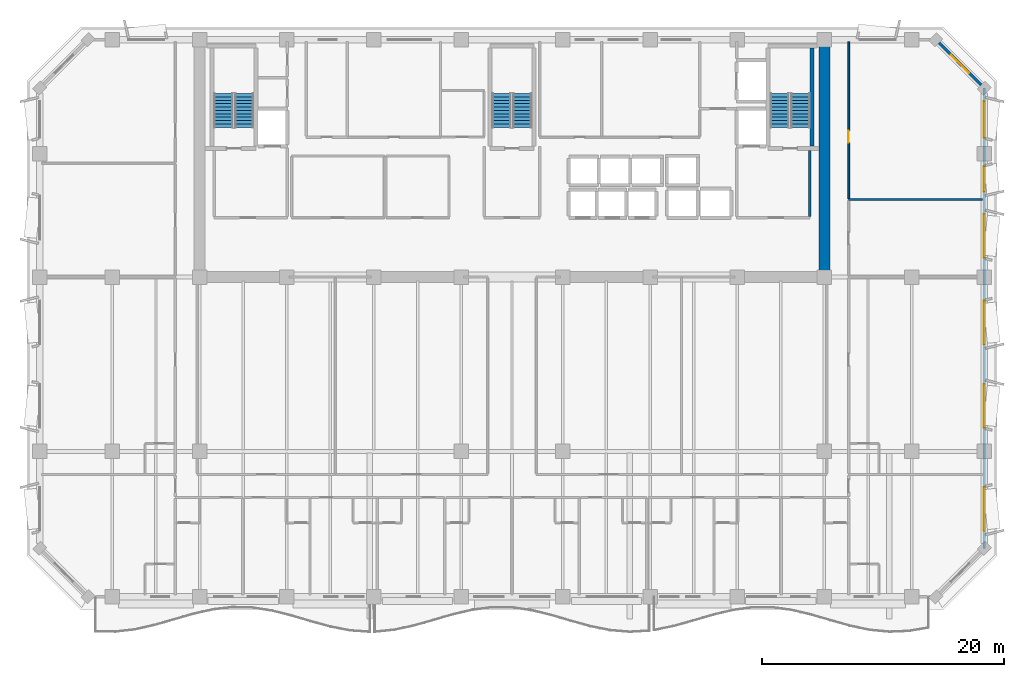
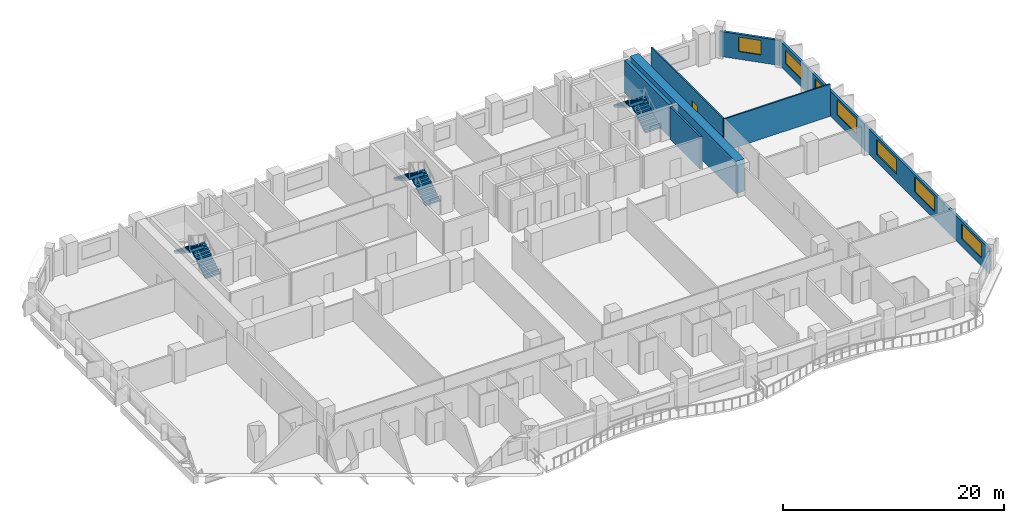
# One storey, part 10 of 15: 7 walls, 7 windows, 6 stair flights, 1 door, 8 openings, 3 elements without a shape of their own.
"""IFC4 building model written with IfcOpenShell, lengths in metres."""

from ifc_helpers import new_model, si_unit, direction, frame, frame_2d, origin, place, context, subcontext, project, spatial, polyline, rectangle, outline, extrude, material, layer, layer_set, type_object, element, fill, aggregate, save


model = new_model("IFC4")

# Units and contexts
model_context = context("Model", 3, precision=1e-05, world=origin(), true_north=direction((0.0, 1.0)))
body_context = subcontext(model_context, "Body", "Model", "MODEL_VIEW")
ifc_project = project(units=[si_unit("LENGTHUNIT", "METRE"), si_unit("AREAUNIT", "SQUARE_METRE"), si_unit("VOLUMEUNIT", "CUBIC_METRE"), si_unit("PLANEANGLEUNIT", "RADIAN"), si_unit("MASSUNIT", "GRAM", prefix="KILO")], contexts=[model_context])

# Site, building, storey
site_placement = place(None, origin())
site = spatial("IfcSite", under=ifc_project, at=site_placement, CompositionType="ELEMENT")
building_placement = place(site_placement, origin())
building = spatial("IfcBuilding", under=site, at=building_placement, Name="Kaelvorn Grand Hotel", CompositionType="ELEMENT")
storey_placement = place(building_placement, frame((0.0, 0.0, 142.949951171875)))
storey = spatial("IfcBuildingStorey", under=building, at=storey_placement, Name="L34", CompositionType="ELEMENT", Elevation=142.949951171875)

# Wall
ifc_material_1 = material(Name="Concrete C60/75", Category="concrete")
ifc_layer_1 = layer(ifc_material_1, 0.89990234375)
ifc_layer_set_1 = layer_set([ifc_layer_1], Name="Concrete C60/75")
wall_type_1 = type_object("IfcWallType", Name="WL-CORE-900-C60", PredefinedType="SHEAR", material=ifc_layer_set_1)
wall_1_placement = place(storey_placement, frame((67.800048828125, 29.39990234375, 0.0), z_axis=(0.0, 0.0, 1.0), x_axis=(0.0, 1.0, 0.0)))
element("IfcWall", 1, at=wall_1_placement, inside=storey, type_object=wall_type_1, Name="L34 Rear-Core East Shear Wall", PredefinedType="SHEAR", context=body_context, shape_type="SweptSolid", body=[
    extrude(rectangle(XDim=19.2001953125, YDim=0.89990234375, at=frame_2d((9.60009765625, 0.0))), origin(), (0.0, 0.0, 1.0), 3.56005859375),
])

# Wall, openings, windows
ifc_material_2 = material(Name="Concrete C40/50", Category="concrete")
ifc_layer_2 = layer(ifc_material_2, 0.239990234375)
ifc_layer_set_2 = layer_set([ifc_layer_2], Name="Concrete C40/50")
wall_type_2 = type_object("IfcWallType", Name="WL-EXT-240-C40", PredefinedType="SOLIDWALL", material=ifc_layer_set_2)
wall_2_placement = place(storey_placement, frame((81.0, 7.0, 0.0), z_axis=(0.0, 0.0, 1.0), x_axis=(0.0, 1.0, 0.0)))
wall_2 = element("IfcWall", 2, at=wall_2_placement, inside=storey, type_object=wall_type_2, Name="L34 Exterior Architectural Concrete Wall 03", PredefinedType="SOLIDWALL", context=body_context, shape_type="SweptSolid", body=[
    extrude(rectangle(XDim=38.0, YDim=0.239990234375, at=frame_2d((19.0, 0.0))), origin(), (0.0, 0.0, 1.0), 2.760009765625),
])
opening_1_placement = place(wall_2_placement, frame((1.449951171875, 0.0, 0.85009765625)))
opening_1 = element("IfcOpeningElement", 3, at=opening_1_placement, cuts=wall_2, Name="Opening W3", PredefinedType="OPENING", context=body_context, shape_type="SweptSolid", body=[
    extrude(rectangle(XDim=3.60009765625, YDim=1.64990234375, at=frame_2d((1.800048828125, 0.824951171875))), frame((0.0, 0.1298828125, 0.0), z_axis=(0.0, -1.0, 0.0), x_axis=(1.0, 0.0, 0.0)), (0.0, 0.0, 1.0), 0.260009765625),
])
opening_2_placement = place(wall_2_placement, frame((9.965087890625, 0.0, 0.85009765625)))
opening_2 = element("IfcOpeningElement", 4, at=opening_2_placement, cuts=wall_2, Name="Opening W3", PredefinedType="OPENING", context=body_context, shape_type="SweptSolid", body=[
    extrude(rectangle(XDim=3.60009765625, YDim=1.64990234375, at=frame_2d((1.800048828125, 0.824951171875))), frame((0.0, 0.1298828125, 0.0), z_axis=(0.0, -1.0, 0.0), x_axis=(1.0, 0.0, 0.0)), (0.0, 0.0, 1.0), 0.260009765625),
])
opening_3_placement = place(wall_2_placement, frame((16.8349609375, 0.0, 0.85009765625)))
opening_3 = element("IfcOpeningElement", 5, at=opening_3_placement, cuts=wall_2, Name="Opening W3", PredefinedType="OPENING", context=body_context, shape_type="SweptSolid", body=[
    extrude(rectangle(XDim=3.60009765625, YDim=1.64990234375, at=frame_2d((1.800048828125, 0.824951171875))), frame((0.0, 0.1298828125, 0.0), z_axis=(0.0, -1.0, 0.0), x_axis=(1.0, 0.0, 0.0)), (0.0, 0.0, 1.0), 0.260009765625),
])
opening_4_placement = place(wall_2_placement, frame((24.0, 0.0, 0.85009765625)))
opening_4 = element("IfcOpeningElement", 6, at=opening_4_placement, cuts=wall_2, Name="Opening W3", PredefinedType="OPENING", context=body_context, shape_type="SweptSolid", body=[
    extrude(rectangle(XDim=3.60009765625, YDim=1.64990234375, at=frame_2d((1.800048828125, 0.824951171875))), frame((0.0, 0.1298828125, 0.0), z_axis=(0.0, -1.0, 0.0), x_axis=(1.0, 0.0, 0.0)), (0.0, 0.0, 1.0), 0.260009765625),
])
opening_5_placement = place(wall_2_placement, frame((29.449951171875, 0.0, 0.85009765625)))
opening_5 = element("IfcOpeningElement", 7, at=opening_5_placement, cuts=wall_2, Name="Opening W7", PredefinedType="OPENING", context=body_context, shape_type="SweptSolid", body=[
    extrude(rectangle(XDim=2.10009765625, YDim=1.60009765625, at=frame_2d((1.050048828125, 0.800048828125))), frame((0.0, 0.1298828125, 0.0), z_axis=(0.0, -1.0, 0.0), x_axis=(1.0, 0.0, 0.0)), (0.0, 0.0, 1.0), 0.260009765625),
])
opening_6_placement = place(wall_2_placement, frame((33.9150390625, 0.0, 0.85009765625)))
opening_6 = element("IfcOpeningElement", 8, at=opening_6_placement, cuts=wall_2, Name="Opening W5", PredefinedType="OPENING", context=body_context, shape_type="SweptSolid", body=[
    extrude(rectangle(XDim=3.0, YDim=1.5, at=frame_2d((1.5, 0.75))), frame((0.0, 0.1298828125, 0.0), z_axis=(0.0, -1.0, 0.0), x_axis=(1.0, 0.0, 0.0)), (0.0, 0.0, 1.0), 0.260009765625),
])
ifc_material_3 = material(Name="Laminated Low-E Glass", Category="glass")
window_type_1 = type_object("IfcWindowType", Name="WIN-CHM-2100x1600", PartitioningType="SINGLE_PANEL", PredefinedType="WINDOW", material=ifc_material_3)
window_1_placement = place(opening_5_placement, origin())
window_1 = element("IfcWindow", 9, at=window_1_placement, inside=storey, type_object=window_type_1, Name="L34 E Wing Tilted-Frame Ribbon Window E05", OverallHeight=1.60009765625, OverallWidth=2.10009765625, PartitioningType="SINGLE_PANEL", PredefinedType="WINDOW", context=body_context, shape_type="SweptSolid", body=[
    extrude(rectangle(XDim=2.10009765625, YDim=1.60009765625, at=frame_2d((1.050048828125, 0.800048828125))), frame((0.0, 0.030029296875, 0.0), z_axis=(0.0, -1.0, 0.0), x_axis=(1.0, 0.0, 0.0)), (0.0, 0.0, 1.0), 0.06005859375),
])
fill(opening_5, window_1)
window_type_2 = type_object("IfcWindowType", Name="WIN-NTH-3000x1500", PartitioningType="SINGLE_PANEL", PredefinedType="WINDOW", material=ifc_material_3)
window_2_placement = place(opening_6_placement, origin())
window_2 = element("IfcWindow", 10, at=window_2_placement, inside=storey, type_object=window_type_2, Name="L34 E Wing Tilted-Frame Ribbon Window E06", OverallHeight=1.5, OverallWidth=3.0, PartitioningType="SINGLE_PANEL", PredefinedType="WINDOW", context=body_context, shape_type="SweptSolid", body=[
    extrude(rectangle(XDim=3.0, YDim=1.5, at=frame_2d((1.5, 0.75))), frame((0.0, 0.030029296875, 0.0), z_axis=(0.0, -1.0, 0.0), x_axis=(1.0, 0.0, 0.0)), (0.0, 0.0, 1.0), 0.06005859375),
])
fill(opening_6, window_2)
window_type_3 = type_object("IfcWindowType", Name="WIN-RIB-3600x1750", PartitioningType="SINGLE_PANEL", PredefinedType="WINDOW", material=ifc_material_3)
window_3_placement = place(opening_1_placement, origin())
window_3 = element("IfcWindow", 11, at=window_3_placement, inside=storey, type_object=window_type_3, Name="L34 E Wing Tilted-Frame Ribbon Window E01", OverallHeight=1.64990234375, OverallWidth=3.60009765625, PartitioningType="SINGLE_PANEL", PredefinedType="WINDOW", context=body_context, shape_type="SweptSolid", body=[
    extrude(rectangle(XDim=3.60009765625, YDim=1.64990234375, at=frame_2d((1.800048828125, 0.824951171875))), frame((0.0, 0.030029296875, 0.0), z_axis=(0.0, -1.0, 0.0), x_axis=(1.0, 0.0, 0.0)), (0.0, 0.0, 1.0), 0.06005859375),
])
fill(opening_1, window_3)
window_4_placement = place(opening_2_placement, origin())
window_4 = element("IfcWindow", 12, at=window_4_placement, inside=storey, type_object=window_type_3, Name="L34 E Wing Tilted-Frame Ribbon Window E02", OverallHeight=1.64990234375, OverallWidth=3.60009765625, PartitioningType="SINGLE_PANEL", PredefinedType="WINDOW", context=body_context, shape_type="SweptSolid", body=[
    extrude(rectangle(XDim=3.60009765625, YDim=1.64990234375, at=frame_2d((1.800048828125, 0.824951171875))), frame((0.0, 0.030029296875, 0.0), z_axis=(0.0, -1.0, 0.0), x_axis=(1.0, 0.0, 0.0)), (0.0, 0.0, 1.0), 0.06005859375),
])
fill(opening_2, window_4)
window_5_placement = place(opening_3_placement, origin())
window_5 = element("IfcWindow", 13, at=window_5_placement, inside=storey, type_object=window_type_3, Name="L34 E Wing Tilted-Frame Ribbon Window E03", OverallHeight=1.64990234375, OverallWidth=3.60009765625, PartitioningType="SINGLE_PANEL", PredefinedType="WINDOW", context=body_context, shape_type="SweptSolid", body=[
    extrude(rectangle(XDim=3.60009765625, YDim=1.64990234375, at=frame_2d((1.800048828125, 0.824951171875))), frame((0.0, 0.030029296875, 0.0), z_axis=(0.0, -1.0, 0.0), x_axis=(1.0, 0.0, 0.0)), (0.0, 0.0, 1.0), 0.06005859375),
])
fill(opening_3, window_5)
window_6_placement = place(opening_4_placement, origin())
window_6 = element("IfcWindow", 14, at=window_6_placement, inside=storey, type_object=window_type_3, Name="L34 E Wing Tilted-Frame Ribbon Window E04", OverallHeight=1.64990234375, OverallWidth=3.60009765625, PartitioningType="SINGLE_PANEL", PredefinedType="WINDOW", context=body_context, shape_type="SweptSolid", body=[
    extrude(rectangle(XDim=3.60009765625, YDim=1.64990234375, at=frame_2d((1.800048828125, 0.824951171875))), frame((0.0, 0.030029296875, 0.0), z_axis=(0.0, -1.0, 0.0), x_axis=(1.0, 0.0, 0.0)), (0.0, 0.0, 1.0), 0.06005859375),
])
fill(opening_4, window_6)

# Wall, opening, window
wall_3_placement = place(storey_placement, frame((81.0, 45.0, 0.0), z_axis=(0.0, 0.0, 1.0), x_axis=(-0.707106781187, 0.707106781187, 0.0)))
wall_3 = element("IfcWall", 15, at=wall_3_placement, inside=storey, type_object=wall_type_2, Name="L34 Exterior Architectural Concrete Wall 04", PredefinedType="SOLIDWALL", context=body_context, shape_type="SweptSolid", body=[
    extrude(rectangle(XDim=5.65673828125, YDim=0.239990234375, at=frame_2d((2.828369140625, 0.0))), origin(), (0.0, 0.0, 1.0), 2.760009765625),
])
opening_7_placement = place(wall_3_placement, frame((1.7783203125, 0.0, 0.85009765625)))
opening_7 = element("IfcOpeningElement", 16, at=opening_7_placement, cuts=wall_3, Name="Opening W7", PredefinedType="OPENING", context=body_context, shape_type="SweptSolid", body=[
    extrude(rectangle(XDim=2.10009765625, YDim=1.60009765625, at=frame_2d((1.050048828125, 0.800048828125))), frame((0.0, 0.1298828125, 0.0), z_axis=(0.0, -1.0, 0.0), x_axis=(1.0, 0.0, 0.0)), (0.0, 0.0, 1.0), 0.260009765625),
])
window_7_placement = place(opening_7_placement, origin())
window_7 = element("IfcWindow", 17, at=window_7_placement, inside=storey, type_object=window_type_1, Name="L34 Chamfered 45-Degree Corner Window NE", OverallHeight=1.60009765625, OverallWidth=2.10009765625, PartitioningType="SINGLE_PANEL", PredefinedType="WINDOW", context=body_context, shape_type="SweptSolid", body=[
    extrude(rectangle(XDim=2.10009765625, YDim=1.60009765625, at=frame_2d((1.050048828125, 0.800048828125))), frame((0.0, 0.030029296875, 0.0), z_axis=(0.0, -1.0, 0.0), x_axis=(1.0, 0.0, 0.0)), (0.0, 0.0, 1.0), 0.06005859375),
])
fill(opening_7, window_7)

# Wall
ifc_material_4 = material(Name="Acoustic Gypsum & Stud Partition")
ifc_layer_3 = layer(ifc_material_4, 0.14990234375)
ifc_layer_set_3 = layer_set([ifc_layer_3], Name="Acoustic Gypsum & Stud Partition")
wall_type_3 = type_object("IfcWallType", Name="WL-PART-150-EI60", PredefinedType="PARTITIONING", material=ifc_layer_set_3)
wall_4_placement = place(storey_placement, frame((69.800048828125, 35.800048828125, 0.0), z_axis=(0.0, 0.0, 1.0), x_axis=(1.0, 0.0, 0.0)))
element("IfcWall", 18, at=wall_4_placement, inside=storey, type_object=wall_type_3, Name="L34 North-East Wellness Fitness Gym N Partition", PredefinedType="PARTITIONING", context=body_context, shape_type="SweptSolid", body=[
    extrude(rectangle(XDim=11.050048828125, YDim=0.14990234375, at=frame_2d((5.52490234375, 0.0))), origin(), (0.0, 0.0, 1.0), 3.56005859375),
])

# Wall, opening, door
wall_5_placement = place(storey_placement, frame((69.800048828125, 35.8798828125, 0.0), z_axis=(0.0, 0.0, 1.0), x_axis=(0.0, 1.0, 0.0)))
wall_5 = element("IfcWall", 19, at=wall_5_placement, inside=storey, type_object=wall_type_3, Name="L34 North-East Private Dining Restaurant W Partition", PredefinedType="PARTITIONING", context=body_context, shape_type="SweptSolid", body=[
    extrude(rectangle(XDim=12.97021484375, YDim=0.14990234375, at=frame_2d((6.485107421875, 0.0))), origin(), (0.0, 0.0, 1.0), 3.56005859375),
])
opening_8_placement = place(wall_5_placement, frame((4.6201171875, 0.0, 0.0)))
opening_8 = element("IfcOpeningElement", 20, at=opening_8_placement, cuts=wall_5, Name="Opening DI3", PredefinedType="OPENING", context=body_context, shape_type="SweptSolid", body=[
    extrude(rectangle(XDim=1.0, YDim=2.14990234375, at=frame_2d((0.5, 1.074951171875))), frame((0.0, 0.0849609375, 0.0), z_axis=(0.0, -1.0, 0.0), x_axis=(1.0, 0.0, 0.0)), (0.0, 0.0, 1.0), 0.169921875),
])
ifc_material_5 = material(Name="Timber Veneer Fire Leaf", Category="wood")
door_type = type_object("IfcDoorType", Name="DR-INT-GUEST-1000x2150", OperationType="NOTDEFINED", PredefinedType="DOOR", material=ifc_material_5)
door_placement = place(opening_8_placement, origin())
door = element("IfcDoor", 21, at=door_placement, inside=storey, type_object=door_type, Name="L34 North-East Private Dining Restaurant Door", OperationType="SINGLE_SWING_RIGHT", OverallHeight=2.14990234375, OverallWidth=1.0, PredefinedType="DOOR", context=body_context, shape_type="SweptSolid", body=[
    extrude(rectangle(XDim=1.0, YDim=2.14990234375, at=frame_2d((0.5, 1.074951171875))), frame((0.0, 0.02490234375, 0.0), z_axis=(0.0, -1.0, 0.0), x_axis=(1.0, 0.0, 0.0)), (0.0, 0.0, 1.0), 0.050048828125),
])
fill(opening_8, door)

# Walls
ifc_layer_4 = layer(ifc_material_2, 0.219970703125)
ifc_layer_set_4 = layer_set([ifc_layer_4], Name="Concrete C40/50")
wall_type_4 = type_object("IfcWallType", Name="WL-PART-220-EI120", PredefinedType="PARTITIONING", material=ifc_layer_set_4)
wall_6_placement = place(storey_placement, frame((66.60009765625, 34.4150390625, 0.0), z_axis=(0.0, 0.0, 1.0), x_axis=(0.0, 1.0, 0.0)))
element("IfcWall", 22, at=wall_6_placement, inside=storey, type_object=wall_type_4, Name="L34 Firefighting Lift Lobby 2 E Partition", PredefinedType="PARTITIONING", context=body_context, shape_type="SweptSolid", body=[
    extrude(rectangle(XDim=5.429931640625, YDim=0.219970703125, at=frame_2d((2.71484375, 0.0))), origin(), (0.0, 0.0, 1.0), 3.56005859375),
])
ifc_layer_5 = layer(ifc_material_1, 0.35009765625)
ifc_layer_set_5 = layer_set([ifc_layer_5], Name="Concrete C60/75")
wall_type_5 = type_object("IfcWallType", Name="WL-SHAFT-350-C60", PredefinedType="SHEAR", material=ifc_layer_set_5)
wall_7_placement = place(storey_placement, frame((66.77490234375, 40.205078125, 0.0), z_axis=(0.0, 0.0, 1.0), x_axis=(0.0, 1.0, 0.0)))
element("IfcWall", 23, at=wall_7_placement, inside=storey, type_object=wall_type_5, Name="L34 ST3 Stair Shaft East Wall", PredefinedType="SHEAR", context=body_context, shape_type="SweptSolid", body=[
    extrude(rectangle(XDim=8.08984375, YDim=0.35009765625, at=frame_2d((4.044921875, 0.0))), origin(), (0.0, 0.0, 1.0), 3.56005859375),
])

# Stair, stair flights
stair_type = type_object("IfcStairType", Name="STR-DOG-1560-R08", PredefinedType="HALF_TURN_STAIR", material=ifc_material_2)
stair_1_placement = place(storey_placement, origin())
stair_1 = element("IfcStair", 24, at=stair_1_placement, inside=storey, type_object=stair_type, Name="L34 West Core Exit Stair ST1", PredefinedType="HALF_TURN_STAIR")
stair_flight_type = type_object("IfcStairFlightType", Name="FLG-DOG-1560-R08", PredefinedType="STRAIGHT", material=ifc_material_2)
stair_flight_1_placement = place(storey_placement, frame((19.89990234375, 41.760009765625, 0.0), z_axis=(0.0, 0.0, 1.0), x_axis=(0.0, 1.0, 0.0)))
stair_flight_1 = element("IfcStairFlight", 25, at=stair_flight_1_placement, type_object=stair_flight_type, Name="ST1 flight 1", NumberOfRisers=11, NumberOfTreads=10, PredefinedType="STRAIGHT", RiserHeight=0.172727273, TreadLength=0.28, context=body_context, shape_type="SweptSolid", body=[
    extrude(outline(polyline([(-0.0048828125, 0.0), (-0.0048828125, 0.0400390625), (0.0, 0.172607421875), (0.280029296875, 0.172607421875), (0.280029296875, 0.345458984375), (0.56005859375, 0.345458984375), (0.56005859375, 0.51806640625), (0.840087890625, 0.51806640625), (0.840087890625, 0.69091796875), (1.1201171875, 0.69091796875), (1.1201171875, 0.863525390625), (1.39990234375, 0.863525390625), (1.39990234375, 1.036376953125), (1.679931640625, 1.036376953125), (1.679931640625, 1.208984375), (1.9599609375, 1.208984375), (1.9599609375, 1.3818359375), (2.239990234375, 1.3818359375), (2.239990234375, 1.554443359375), (2.52001953125, 1.554443359375), (2.52001953125, 1.727294921875), (2.800048828125, 1.727294921875), (2.800048828125, 1.89990234375), (2.804931640625, 1.89990234375), (2.804931640625, 1.551025390625), (0.285400390625, 0.0), (-0.0048828125, 0.0)])), frame((0.0, 0.780029296875, 0.0), z_axis=(0.0, -1.0, 0.0), x_axis=(1.0, 0.0, 0.0)), (0.0, 0.0, 1.0), 1.56005859375),
])
stair_flight_2_placement = place(storey_placement, frame((18.179931640625, 44.56005859375, 1.900146484375), z_axis=(0.0, 0.0, 1.0), x_axis=(0.0, -1.0, 0.0)))
stair_flight_2 = element("IfcStairFlight", 26, at=stair_flight_2_placement, type_object=stair_flight_type, Name="ST1 flight 2", NumberOfRisers=11, NumberOfTreads=10, PredefinedType="STRAIGHT", RiserHeight=0.172727273, TreadLength=0.28, context=body_context, shape_type="SweptSolid", body=[
    extrude(outline(polyline([(-0.0048828125, 0.0), (-0.0048828125, 0.0400390625), (0.0, 0.172607421875), (0.280029296875, 0.172607421875), (0.280029296875, 0.345458984375), (0.56005859375, 0.345458984375), (0.56005859375, 0.51806640625), (0.840087890625, 0.51806640625), (0.840087890625, 0.69091796875), (1.1201171875, 0.69091796875), (1.1201171875, 0.863525390625), (1.39990234375, 0.863525390625), (1.39990234375, 1.036376953125), (1.679931640625, 1.036376953125), (1.679931640625, 1.208984375), (1.9599609375, 1.208984375), (1.9599609375, 1.3818359375), (2.239990234375, 1.3818359375), (2.239990234375, 1.554443359375), (2.52001953125, 1.554443359375), (2.52001953125, 1.727294921875), (2.800048828125, 1.727294921875), (2.800048828125, 1.89990234375), (2.804931640625, 1.89990234375), (2.804931640625, 1.551025390625), (0.285400390625, 0.0), (-0.0048828125, 0.0)])), frame((0.0, 0.780029296875, 0.0), z_axis=(0.0, -1.0, 0.0), x_axis=(1.0, 0.0, 0.0)), (0.0, 0.0, 1.0), 1.56005859375),
])
aggregate(stair_1, [stair_flight_1, stair_flight_2])

stair_2_placement = place(storey_placement, origin())
stair_2 = element("IfcStair", 27, at=stair_2_placement, inside=storey, type_object=stair_type, Name="L34 Central Core Exit Stair ST2", PredefinedType="HALF_TURN_STAIR")
stair_flight_3_placement = place(storey_placement, frame((42.860107421875, 41.760009765625, 0.0), z_axis=(0.0, 0.0, 1.0), x_axis=(0.0, 1.0, 0.0)))
stair_flight_3 = element("IfcStairFlight", 28, at=stair_flight_3_placement, type_object=stair_flight_type, Name="ST2 flight 1", NumberOfRisers=11, NumberOfTreads=10, PredefinedType="STRAIGHT", RiserHeight=0.172727273, TreadLength=0.28, context=body_context, shape_type="SweptSolid", body=[
    extrude(outline(polyline([(-0.0048828125, 0.0), (-0.0048828125, 0.0400390625), (0.0, 0.172607421875), (0.280029296875, 0.172607421875), (0.280029296875, 0.345458984375), (0.56005859375, 0.345458984375), (0.56005859375, 0.51806640625), (0.840087890625, 0.51806640625), (0.840087890625, 0.69091796875), (1.1201171875, 0.69091796875), (1.1201171875, 0.863525390625), (1.39990234375, 0.863525390625), (1.39990234375, 1.036376953125), (1.679931640625, 1.036376953125), (1.679931640625, 1.208984375), (1.9599609375, 1.208984375), (1.9599609375, 1.3818359375), (2.239990234375, 1.3818359375), (2.239990234375, 1.554443359375), (2.52001953125, 1.554443359375), (2.52001953125, 1.727294921875), (2.800048828125, 1.727294921875), (2.800048828125, 1.89990234375), (2.804931640625, 1.89990234375), (2.804931640625, 1.551025390625), (0.285400390625, 0.0), (-0.0048828125, 0.0)])), frame((0.0, 0.780029296875, 0.0), z_axis=(0.0, -1.0, 0.0), x_axis=(1.0, 0.0, 0.0)), (0.0, 0.0, 1.0), 1.56005859375),
])
stair_flight_4_placement = place(storey_placement, frame((41.139892578125, 44.56005859375, 1.900146484375), z_axis=(0.0, 0.0, 1.0), x_axis=(0.0, -1.0, 0.0)))
stair_flight_4 = element("IfcStairFlight", 29, at=stair_flight_4_placement, type_object=stair_flight_type, Name="ST2 flight 2", NumberOfRisers=11, NumberOfTreads=10, PredefinedType="STRAIGHT", RiserHeight=0.172727273, TreadLength=0.28, context=body_context, shape_type="SweptSolid", body=[
    extrude(outline(polyline([(-0.0048828125, 0.0), (-0.0048828125, 0.0400390625), (0.0, 0.172607421875), (0.280029296875, 0.172607421875), (0.280029296875, 0.345458984375), (0.56005859375, 0.345458984375), (0.56005859375, 0.51806640625), (0.840087890625, 0.51806640625), (0.840087890625, 0.69091796875), (1.1201171875, 0.69091796875), (1.1201171875, 0.863525390625), (1.39990234375, 0.863525390625), (1.39990234375, 1.036376953125), (1.679931640625, 1.036376953125), (1.679931640625, 1.208984375), (1.9599609375, 1.208984375), (1.9599609375, 1.3818359375), (2.239990234375, 1.3818359375), (2.239990234375, 1.554443359375), (2.52001953125, 1.554443359375), (2.52001953125, 1.727294921875), (2.800048828125, 1.727294921875), (2.800048828125, 1.89990234375), (2.804931640625, 1.89990234375), (2.804931640625, 1.551025390625), (0.285400390625, 0.0), (-0.0048828125, 0.0)])), frame((0.0, 0.780029296875, 0.0), z_axis=(0.0, -1.0, 0.0), x_axis=(1.0, 0.0, 0.0)), (0.0, 0.0, 1.0), 1.56005859375),
])
aggregate(stair_2, [stair_flight_3, stair_flight_4])

stair_3_placement = place(storey_placement, origin())
stair_3 = element("IfcStair", 30, at=stair_3_placement, inside=storey, type_object=stair_type, Name="L34 East Core Exit Stair ST3", PredefinedType="HALF_TURN_STAIR")
stair_flight_5_placement = place(storey_placement, frame((65.820068359375, 41.760009765625, 0.0), z_axis=(0.0, 0.0, 1.0), x_axis=(0.0, 1.0, 0.0)))
stair_flight_5 = element("IfcStairFlight", 31, at=stair_flight_5_placement, type_object=stair_flight_type, Name="ST3 flight 1", NumberOfRisers=11, NumberOfTreads=10, PredefinedType="STRAIGHT", RiserHeight=0.172727273, TreadLength=0.28, context=body_context, shape_type="SweptSolid", body=[
    extrude(outline(polyline([(-0.0048828125, 0.0), (-0.0048828125, 0.0400390625), (0.0, 0.172607421875), (0.280029296875, 0.172607421875), (0.280029296875, 0.345458984375), (0.56005859375, 0.345458984375), (0.56005859375, 0.51806640625), (0.840087890625, 0.51806640625), (0.840087890625, 0.69091796875), (1.1201171875, 0.69091796875), (1.1201171875, 0.863525390625), (1.39990234375, 0.863525390625), (1.39990234375, 1.036376953125), (1.679931640625, 1.036376953125), (1.679931640625, 1.208984375), (1.9599609375, 1.208984375), (1.9599609375, 1.3818359375), (2.239990234375, 1.3818359375), (2.239990234375, 1.554443359375), (2.52001953125, 1.554443359375), (2.52001953125, 1.727294921875), (2.800048828125, 1.727294921875), (2.800048828125, 1.89990234375), (2.804931640625, 1.89990234375), (2.804931640625, 1.551025390625), (0.285400390625, 0.0), (-0.0048828125, 0.0)])), frame((0.0, 0.780029296875, 0.0), z_axis=(0.0, -1.0, 0.0), x_axis=(1.0, 0.0, 0.0)), (0.0, 0.0, 1.0), 1.56005859375),
])
stair_flight_6_placement = place(storey_placement, frame((64.10009765625, 44.56005859375, 1.900146484375), z_axis=(0.0, 0.0, 1.0), x_axis=(0.0, -1.0, 0.0)))
stair_flight_6 = element("IfcStairFlight", 32, at=stair_flight_6_placement, type_object=stair_flight_type, Name="ST3 flight 2", NumberOfRisers=11, NumberOfTreads=10, PredefinedType="STRAIGHT", RiserHeight=0.172727273, TreadLength=0.28, context=body_context, shape_type="SweptSolid", body=[
    extrude(outline(polyline([(-0.0048828125, 0.0), (-0.0048828125, 0.0400390625), (0.0, 0.172607421875), (0.280029296875, 0.172607421875), (0.280029296875, 0.345458984375), (0.56005859375, 0.345458984375), (0.56005859375, 0.51806640625), (0.840087890625, 0.51806640625), (0.840087890625, 0.69091796875), (1.1201171875, 0.69091796875), (1.1201171875, 0.863525390625), (1.39990234375, 0.863525390625), (1.39990234375, 1.036376953125), (1.679931640625, 1.036376953125), (1.679931640625, 1.208984375), (1.9599609375, 1.208984375), (1.9599609375, 1.3818359375), (2.239990234375, 1.3818359375), (2.239990234375, 1.554443359375), (2.52001953125, 1.554443359375), (2.52001953125, 1.727294921875), (2.800048828125, 1.727294921875), (2.800048828125, 1.89990234375), (2.804931640625, 1.89990234375), (2.804931640625, 1.551025390625), (0.285400390625, 0.0), (-0.0048828125, 0.0)])), frame((0.0, 0.780029296875, 0.0), z_axis=(0.0, -1.0, 0.0), x_axis=(1.0, 0.0, 0.0)), (0.0, 0.0, 1.0), 1.56005859375),
])
aggregate(stair_3, [stair_flight_5, stair_flight_6])

save(model, "model.ifc")
